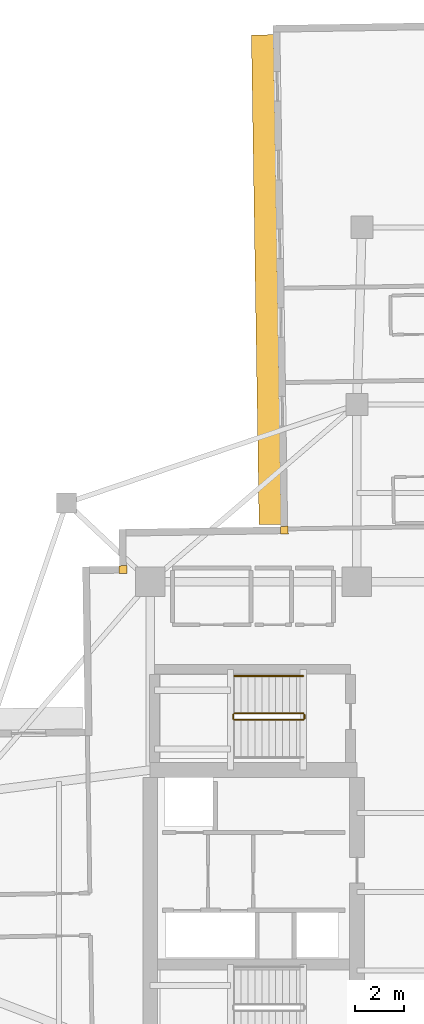
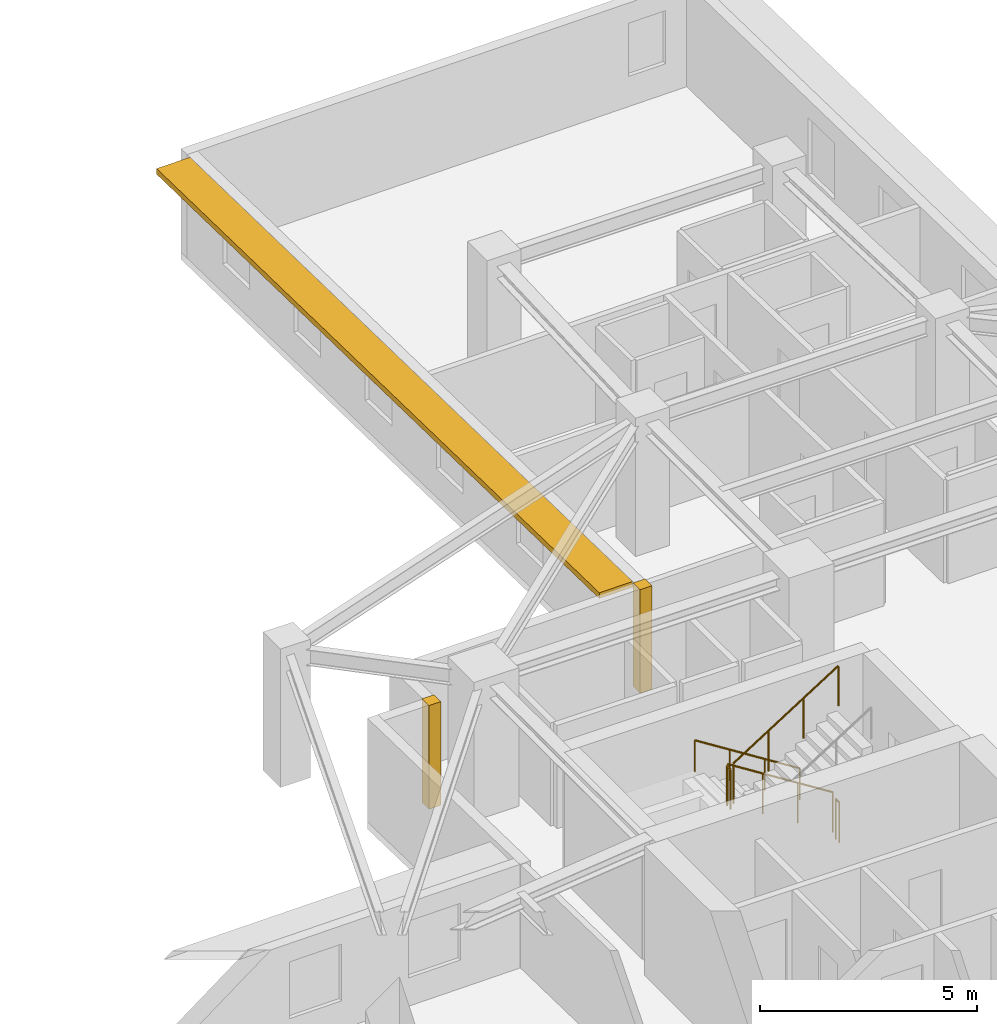
# One storey, part 12 of 13: 5 railings, 2 coverings, 1 shading device.
"""IFC4 building model written with IfcOpenShell, lengths in metres."""

from ifc_helpers import new_model, si_unit, direction, frame, origin, origin_2d, place, context, subcontext, project, spatial, rectangle, circle, extrude, material, layer, layer_set, type_object, element, save


model = new_model("IFC4")

# Units and contexts
model_context = context("Model", 3, precision=1e-05, world=origin(), true_north=direction((0.0, 1.0)))
body_context = subcontext(model_context, "Body", "Model", "MODEL_VIEW")
ifc_project = project(units=[si_unit("LENGTHUNIT", "METRE"), si_unit("AREAUNIT", "SQUARE_METRE"), si_unit("VOLUMEUNIT", "CUBIC_METRE"), si_unit("PLANEANGLEUNIT", "RADIAN"), si_unit("MASSUNIT", "GRAM", prefix="KILO")], contexts=[model_context])

# Site, building, storey
site_placement = place(None, origin())
site = spatial("IfcSite", under=ifc_project, at=site_placement, CompositionType="ELEMENT")
building_placement = place(site_placement, origin())
building = spatial("IfcBuilding", under=site, at=building_placement, Name="Qingluan Cross Belvedere", CompositionType="ELEMENT")
storey_placement = place(building_placement, frame((0.0, 0.0, 187.800048828125)))
storey = spatial("IfcBuildingStorey", under=building, at=storey_placement, Name="L47", CompositionType="ELEMENT", Elevation=187.800048828125)

# Coverings
ifc_material_1 = material(Name="Precast concrete C45", Category="concrete")
ifc_layer_1 = layer(ifc_material_1, 0.1201171875, Name="ConcreteSpandrelCladding_120")
ifc_layer_set_1 = layer_set([ifc_layer_1], Name="Precast concrete C45")
covering_type = type_object("IfcCoveringType", Name="ConcreteSpandrelCladding_120", PredefinedType="CLADDING", material=ifc_layer_set_1)
for number, where, z_axis, x_axis, name in (
    (1, (-13.50732421875, 13.089599609375, 0.0), (0.0, 0.0, 1.0), (0.999876632482, 0.015707317312, 0.0), "Corner closure L47-NW1"),
    (2, (-6.95166015625, 14.692626953125, 0.0), (0.0, 0.0, 1.0), (0.999876632482, 0.015707317312, 0.0), "Corner closure L47-NW2"),
):
    element("IfcCovering", number, at=place(storey_placement, frame(where, z_axis=z_axis, x_axis=x_axis)), inside=storey, type_object=covering_type, Name=name, PredefinedType="CLADDING", context=body_context, shape_type="SweptSolid", body=[
        extrude(rectangle(XDim=0.320068359375, YDim=0.320068359375, at=origin_2d()), origin(), (0.0, 0.0, 1.0), 2.919921875),
    ])

# Shading device
ifc_material_2 = material(Name="Precast concrete C45", Category="concrete")
ifc_layer_2 = layer(ifc_material_2, 0.159912109375, Name="ConcreteSunshadeBand_900")
ifc_layer_set_2 = layer_set([ifc_layer_2], Name="Precast concrete C45")
shading_device_type = type_object("IfcShadingDeviceType", Name="ConcreteSunshadeBand_900", PredefinedType="USERDEFINED", material=ifc_layer_set_2)
shading_device_placement = place(storey_placement, frame((-7.681640625, 24.872314453125, 2.740234375), z_axis=(0.0, 0.0, 1.0), x_axis=(0.015711457647, -0.999876567432, 0.0)))
element("IfcShadingDevice", 3, at=shading_device_placement, inside=storey, type_object=shading_device_type, Name="Concrete SUNSHADE L47-NB", ObjectType="SUNSHADE", PredefinedType="USERDEFINED", context=body_context, shape_type="SweptSolid", body=[
    extrude(rectangle(XDim=19.89990234375, YDim=0.89990234375, at=origin_2d()), origin(), (0.0, 0.0, 1.0), 0.159912109375),
])

# Railings
ifc_material_3 = material(Name="Brushed stainless steel tubular handrail", Category="steel")
railing_type_1 = type_object("IfcRailingType", Name="StairPitchHandrail_900", PredefinedType="HANDRAIL", material=ifc_material_3)
railing_1_placement = place(storey_placement, frame((-6.179931640625, 8.77001953125, 0.17724609375)))
element("IfcRailing", 4, at=railing_1_placement, inside=storey, type_object=railing_type_1, Name="L47 ST3 stair handrail 1", PredefinedType="HANDRAIL", context=body_context, shape_type="SweptSolid", body=[
    extrude(circle(Radius=0.02392578125, at=origin_2d()), frame((0.0, 0.0, 0.8759765625), z_axis=(-0.844908973607, 0.0, 0.534910110503), x_axis=(0.0, -1.0, 0.0)), (0.0, 0.0, 1.0), 3.31396484375),
    extrude(circle(Radius=0.02099609375, at=origin_2d()), origin(), (0.0, 0.0, 1.0), 0.851806640625),
    extrude(circle(Radius=0.02099609375, at=origin_2d()), frame((-0.933349609375, 0.0, 0.5908203125)), (0.0, 0.0, 1.0), 0.851806640625),
    extrude(circle(Radius=0.02099609375, at=origin_2d()), frame((-1.86669921875, 0.0, 1.181884765625)), (0.0, 0.0, 1.0), 0.851806640625),
    extrude(circle(Radius=0.02099609375, at=origin_2d()), frame((-2.800048828125, 0.0, 1.772705078125)), (0.0, 0.0, 1.0), 0.851806640625),
])
ifc_material_4 = material(Name="Painted steel stair well guard", Category="steel")
railing_type_2 = type_object("IfcRailingType", Name="StairWellGuard_1150", PredefinedType="BALUSTRADE", material=ifc_material_4)
railing_2_placement = place(storey_placement, frame((-6.179931640625, 7.25, 0.17724609375)))
element("IfcRailing", 5, at=railing_2_placement, inside=storey, type_object=railing_type_2, Name="L47 ST3 stair guard 1", PredefinedType="BALUSTRADE", context=body_context, shape_type="SweptSolid", body=[
    extrude(circle(Radius=0.02392578125, at=origin_2d()), frame((0.0, 0.0, 1.1259765625), z_axis=(-0.844908973607, 0.0, 0.534910110503), x_axis=(0.0, -1.0, 0.0)), (0.0, 0.0, 1.0), 3.31396484375),
    extrude(circle(Radius=0.02099609375, at=origin_2d()), origin(), (0.0, 0.0, 1.0), 1.101806640625),
    extrude(circle(Radius=0.02099609375, at=origin_2d()), frame((-0.933349609375, 0.0, 0.5908203125)), (0.0, 0.0, 1.0), 1.101806640625),
    extrude(circle(Radius=0.02099609375, at=origin_2d()), frame((-1.86669921875, 0.0, 1.181884765625)), (0.0, 0.0, 1.0), 1.101806640625),
    extrude(circle(Radius=0.02099609375, at=origin_2d()), frame((-2.800048828125, 0.0, 1.772705078125)), (0.0, 0.0, 1.0), 1.101806640625),
])
railing_3_placement = place(storey_placement, frame((-9.030029296875, 7.199951171875, 1.949951171875)))
element("IfcRailing", 6, at=railing_3_placement, inside=storey, type_object=railing_type_2, Name="L47 ST3 stair guard 2", PredefinedType="BALUSTRADE", context=body_context, shape_type="SweptSolid", body=[
    extrude(circle(Radius=0.02392578125, at=origin_2d()), frame((0.0, 0.0, 1.1259765625), z_axis=(0.0, -1.0, 0.0), x_axis=(1.0, 0.0, 0.0)), (0.0, 0.0, 1.0), 0.159912109375),
    extrude(circle(Radius=0.02099609375, at=origin_2d()), origin(), (0.0, 0.0, 1.0), 1.101806640625),
    extrude(circle(Radius=0.02099609375, at=origin_2d()), frame((0.0, -0.159912109375, 0.0)), (0.0, 0.0, 1.0), 1.101806640625),
])
railing_4_placement = place(storey_placement, frame((-8.97998046875, 6.989990234375, 2.127197265625)))
element("IfcRailing", 7, at=railing_4_placement, inside=storey, type_object=railing_type_2, Name="L47 ST3 stair guard 3", PredefinedType="BALUSTRADE", context=body_context, shape_type="SweptSolid", body=[
    extrude(circle(Radius=0.02392578125, at=origin_2d()), frame((0.0, 0.0, 1.1259765625), z_axis=(0.844908973607, 0.0, 0.534910110503), x_axis=(0.0, 1.0, 0.0)), (0.0, 0.0, 1.0), 3.31396484375),
    extrude(circle(Radius=0.02099609375, at=origin_2d()), origin(), (0.0, 0.0, 1.0), 1.101806640625),
    extrude(circle(Radius=0.02099609375, at=origin_2d()), frame((0.933349609375, 0.0, 0.5908203125)), (0.0, 0.0, 1.0), 1.101806640625),
    extrude(circle(Radius=0.02099609375, at=origin_2d()), frame((1.86669921875, 0.0, 1.181884765625)), (0.0, 0.0, 1.0), 1.101806640625),
    extrude(circle(Radius=0.02099609375, at=origin_2d()), frame((2.800048828125, 0.0, 1.772705078125)), (0.0, 0.0, 1.0), 1.101806640625),
])
railing_5_placement = place(storey_placement, frame((-6.1298828125, 7.199951171875, 0.0)))
element("IfcRailing", 8, at=railing_5_placement, inside=storey, type_object=railing_type_2, Name="L47 ST3 stair guard 4", PredefinedType="BALUSTRADE", context=body_context, shape_type="SweptSolid", body=[
    extrude(circle(Radius=0.02392578125, at=origin_2d()), frame((0.0, 0.0, 1.1259765625), z_axis=(0.0, -1.0, 0.0), x_axis=(1.0, 0.0, 0.0)), (0.0, 0.0, 1.0), 0.159912109375),
    extrude(circle(Radius=0.02099609375, at=origin_2d()), origin(), (0.0, 0.0, 1.0), 1.101806640625),
    extrude(circle(Radius=0.02099609375, at=origin_2d()), frame((0.0, -0.159912109375, 0.0)), (0.0, 0.0, 1.0), 1.101806640625),
])

save(model, "model.ifc")
